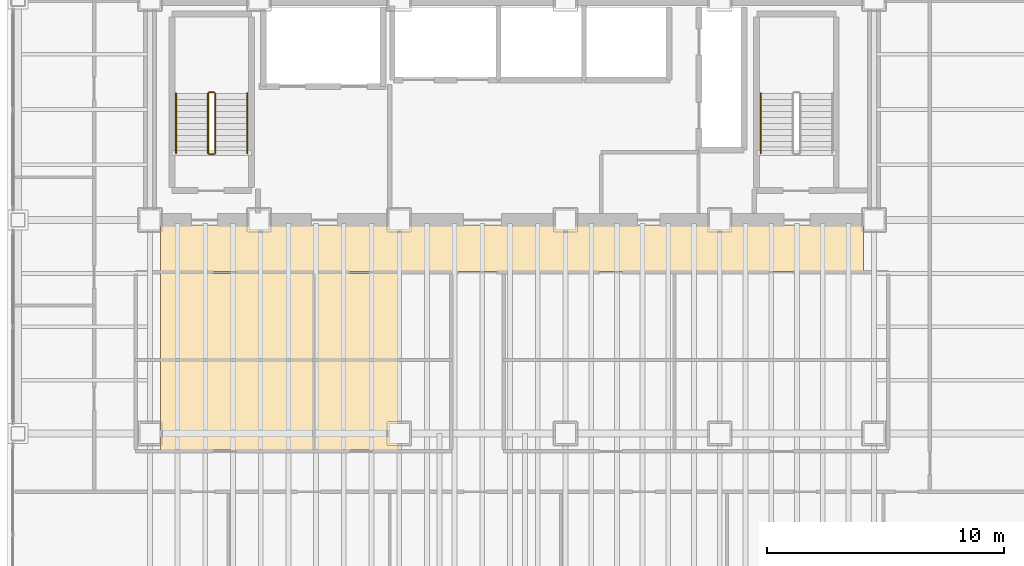
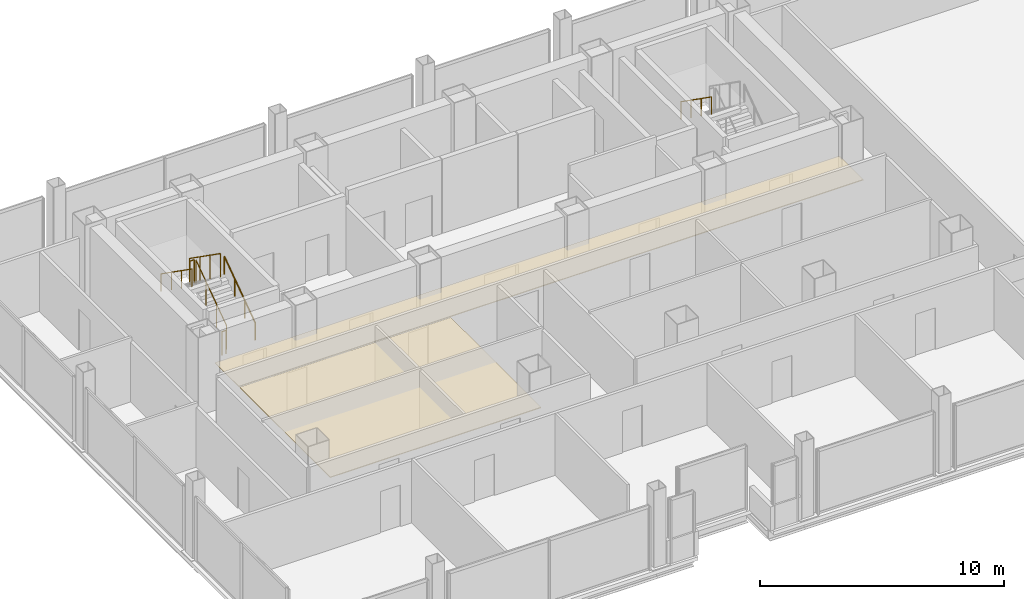
# One storey, part 21 of 22: 7 railings, 2 coverings.
"""IFC4 building model written with IfcOpenShell, lengths in metres."""

from ifc_helpers import new_model, si_unit, direction, frame, origin, origin_2d, place, context, subcontext, project, spatial, polyline, circle, outline, extrude, material, layer, layer_set, type_object, element, save


model = new_model("IFC4")

# Units and contexts
model_context = context("Model", 3, precision=1e-05, world=origin(), true_north=direction((0.0, 1.0)))
body_context = subcontext(model_context, "Body", "Model", "MODEL_VIEW")
ifc_project = project(units=[si_unit("LENGTHUNIT", "METRE"), si_unit("AREAUNIT", "SQUARE_METRE"), si_unit("VOLUMEUNIT", "CUBIC_METRE"), si_unit("PLANEANGLEUNIT", "RADIAN"), si_unit("MASSUNIT", "GRAM", prefix="KILO")], contexts=[model_context])

# Site, building, storey
site_placement = place(None, origin())
site = spatial("IfcSite", under=ifc_project, at=site_placement, CompositionType="ELEMENT")
building_placement = place(site_placement, origin())
building = spatial("IfcBuilding", under=site, at=building_placement, Name="Noeulbin Bourse Tower", CompositionType="ELEMENT")
storey_placement = place(building_placement, frame((0.0, 0.0, 88.89990234375)))
storey = spatial("IfcBuildingStorey", under=building, at=storey_placement, Name="L22", CompositionType="ELEMENT", Elevation=88.89990234375)

# Coverings
ifc_material_1 = material(Name="Perforated Mineral-Fibre Acoustic Tile")
ifc_layer_1 = layer(ifc_material_1, 0.0400390625)
ifc_layer_set_1 = layer_set([ifc_layer_1], Name="Perforated Mineral-Fibre Acoustic Tile")
covering_type = type_object("IfcCoveringType", Name="COV-CEIL-ACT", PredefinedType="CEILING", material=ifc_layer_set_1)
covering_1_placement = place(storey_placement, frame((0.0, 0.0, 2.110107421875)))
element("IfcCovering", 1, at=covering_1_placement, inside=storey, type_object=covering_type, Name="Corridor Suspended Ceiling L22", PredefinedType="CEILING", context=body_context, shape_type="SweptSolid", body=[
    extrude(outline(polyline([(13.949951171875, 26.820068359375), (43.550048828125, 26.820068359375), (43.550048828125, 28.780029296875), (13.949951171875, 28.780029296875), (13.949951171875, 26.820068359375)])), origin(), (0.0, 0.0, 1.0), 0.0400390625),
])
covering_2_placement = place(storey_placement, frame((0.0, 0.0, 2.110107421875)))
element("IfcCovering", 2, at=covering_2_placement, inside=storey, type_object=covering_type, Name="Trading Suite Acoustic Ceiling L22", PredefinedType="CEILING", context=body_context, shape_type="SweptSolid", body=[
    extrude(outline(polyline([(13.949951171875, 19.320068359375), (23.949951171875, 19.320068359375), (23.949951171875, 26.75), (13.949951171875, 26.75), (13.949951171875, 19.320068359375)])), origin(), (0.0, 0.0, 1.0), 0.0400390625),
])

# Railings
ifc_material_2 = material(Name="Painted Tubular Steel S355", Category="steel")
ifc_layer_2 = layer(ifc_material_2, 0.048095703125)
ifc_layer_set_2 = layer_set([ifc_layer_2], Name="Painted Tubular Steel S355")
railing_type_1 = type_object("IfcRailingType", Name="RLG-STR-GRD", PredefinedType="GUARDRAIL", material=ifc_layer_set_2)
railing_1_placement = place(storey_placement, frame((16.25, 31.81005859375, 0.177490234375)))
element("IfcRailing", 3, at=railing_1_placement, inside=storey, type_object=railing_type_1, Name="L22 ST-1 stair guard 1", PredefinedType="GUARDRAIL", context=body_context, shape_type="SweptSolid", body=[
    extrude(circle(Radius=0.02392578125, at=origin_2d()), frame((0.0, 0.0, 1.17578125), z_axis=(0.0, 0.817904474719, 0.575354039036), x_axis=(-1.0, 0.0, 0.0)), (0.0, 0.0, 1.0), 3.0810546875),
    extrude(circle(Radius=0.02099609375, at=origin_2d()), origin(), (0.0, 0.0, 1.0), 1.15185546875),
    extrude(circle(Radius=0.02099609375, at=origin_2d()), frame((0.0, 0.840087890625, 0.5908203125)), (0.0, 0.0, 1.0), 1.15185546875),
    extrude(circle(Radius=0.02099609375, at=origin_2d()), frame((0.0, 1.679931640625, 1.181884765625)), (0.0, 0.0, 1.0), 1.15185546875),
    extrude(circle(Radius=0.02099609375, at=origin_2d()), frame((0.0, 2.52001953125, 1.772705078125)), (0.0, 0.0, 1.0), 1.15185546875),
])
railing_2_placement = place(storey_placement, frame((16.199951171875, 34.3798828125, 1.9501953125)))
element("IfcRailing", 4, at=railing_2_placement, inside=storey, type_object=railing_type_1, Name="L22 ST-1 stair guard 2", PredefinedType="GUARDRAIL", context=body_context, shape_type="SweptSolid", body=[
    extrude(circle(Radius=0.02392578125, at=origin_2d()), frame((0.0, 0.0, 1.17578125), z_axis=(-1.0, 0.0, 0.0), x_axis=(0.0, -1.0, 0.0)), (0.0, 0.0, 1.0), 0.199951171875),
    extrude(circle(Radius=0.02099609375, at=origin_2d()), origin(), (0.0, 0.0, 1.0), 1.15185546875),
    extrude(circle(Radius=0.02099609375, at=origin_2d()), frame((-0.199951171875, 0.0, 0.0)), (0.0, 0.0, 1.0), 1.15185546875),
])
railing_3_placement = place(storey_placement, frame((15.949951171875, 34.330078125, 2.12744140625)))
element("IfcRailing", 5, at=railing_3_placement, inside=storey, type_object=railing_type_1, Name="L22 ST-1 stair guard 3", PredefinedType="GUARDRAIL", context=body_context, shape_type="SweptSolid", body=[
    extrude(circle(Radius=0.02392578125, at=origin_2d()), frame((0.0, 0.0, 1.17578125), z_axis=(0.0, -0.817904474719, 0.575354039036), x_axis=(1.0, 0.0, 0.0)), (0.0, 0.0, 1.0), 3.0810546875),
    extrude(circle(Radius=0.02099609375, at=origin_2d()), origin(), (0.0, 0.0, 1.0), 1.15185546875),
    extrude(circle(Radius=0.02099609375, at=origin_2d()), frame((0.0, -0.840087890625, 0.5908203125)), (0.0, 0.0, 1.0), 1.15185546875),
    extrude(circle(Radius=0.02099609375, at=origin_2d()), frame((0.0, -1.679931640625, 1.181884765625)), (0.0, 0.0, 1.0), 1.15185546875),
    extrude(circle(Radius=0.02099609375, at=origin_2d()), frame((0.0, -2.52001953125, 1.772705078125)), (0.0, 0.0, 1.0), 1.15185546875),
])
railing_4_placement = place(storey_placement, frame((16.199951171875, 31.760009765625, 0.0)))
element("IfcRailing", 6, at=railing_4_placement, inside=storey, type_object=railing_type_1, Name="L22 ST-1 stair guard 4", PredefinedType="GUARDRAIL", context=body_context, shape_type="SweptSolid", body=[
    extrude(circle(Radius=0.02392578125, at=origin_2d()), frame((0.0, 0.0, 1.17578125), z_axis=(-1.0, 0.0, 0.0), x_axis=(0.0, -1.0, 0.0)), (0.0, 0.0, 1.0), 0.199951171875),
    extrude(circle(Radius=0.02099609375, at=origin_2d()), origin(), (0.0, 0.0, 1.0), 1.15185546875),
    extrude(circle(Radius=0.02099609375, at=origin_2d()), frame((-0.199951171875, 0.0, 0.0)), (0.0, 0.0, 1.0), 1.15185546875),
])
ifc_material_3 = material(Name="Brushed Stainless Steel 316", Category="steel")
ifc_layer_3 = layer(ifc_material_3, 0.048095703125)
ifc_layer_set_3 = layer_set([ifc_layer_3], Name="Brushed Stainless Steel 316")
railing_type_2 = type_object("IfcRailingType", Name="RLG-STR-HND", PredefinedType="HANDRAIL", material=ifc_layer_set_3)
railing_5_placement = place(storey_placement, frame((17.60009765625, 31.81005859375, 0.177490234375)))
element("IfcRailing", 7, at=railing_5_placement, inside=storey, type_object=railing_type_2, Name="L22 ST-1 stair handrail 1", PredefinedType="HANDRAIL", context=body_context, shape_type="SweptSolid", body=[
    extrude(circle(Radius=0.02392578125, at=origin_2d()), frame((0.0, 0.0, 0.8759765625), z_axis=(0.0, 0.817904474719, 0.575354039036), x_axis=(-1.0, 0.0, 0.0)), (0.0, 0.0, 1.0), 3.0810546875),
    extrude(circle(Radius=0.02099609375, at=origin_2d()), origin(), (0.0, 0.0, 1.0), 0.851806640625),
    extrude(circle(Radius=0.02099609375, at=origin_2d()), frame((0.0, 0.840087890625, 0.5908203125)), (0.0, 0.0, 1.0), 0.851806640625),
    extrude(circle(Radius=0.02099609375, at=origin_2d()), frame((0.0, 1.679931640625, 1.181884765625)), (0.0, 0.0, 1.0), 0.851806640625),
    extrude(circle(Radius=0.02099609375, at=origin_2d()), frame((0.0, 2.52001953125, 1.772705078125)), (0.0, 0.0, 1.0), 0.851806640625),
])
for number, where, name in (
    (8, (14.60009765625, 34.330078125, 2.12744140625), "L22 ST-1 stair handrail 2"),
    (9, (39.22998046875, 34.330078125, 2.12744140625), "L22 ST-2 stair handrail 2"),
):
    element("IfcRailing", number, at=place(storey_placement, frame(where)), inside=storey, type_object=railing_type_2, Name=name, PredefinedType="HANDRAIL", context=body_context, shape_type="SweptSolid", body=[
        extrude(circle(Radius=0.02392578125, at=origin_2d()), frame((0.0, 0.0, 0.8759765625), z_axis=(0.0, -0.817904474719, 0.575354039036), x_axis=(1.0, 0.0, 0.0)), (0.0, 0.0, 1.0), 3.0810546875),
        extrude(circle(Radius=0.02099609375, at=origin_2d()), origin(), (0.0, 0.0, 1.0), 0.851806640625),
        extrude(circle(Radius=0.02099609375, at=origin_2d()), frame((0.0, -0.840087890625, 0.5908203125)), (0.0, 0.0, 1.0), 0.851806640625),
        extrude(circle(Radius=0.02099609375, at=origin_2d()), frame((0.0, -1.679931640625, 1.181884765625)), (0.0, 0.0, 1.0), 0.851806640625),
        extrude(circle(Radius=0.02099609375, at=origin_2d()), frame((0.0, -2.52001953125, 1.772705078125)), (0.0, 0.0, 1.0), 0.851806640625),
    ])

save(model, "model.ifc")
